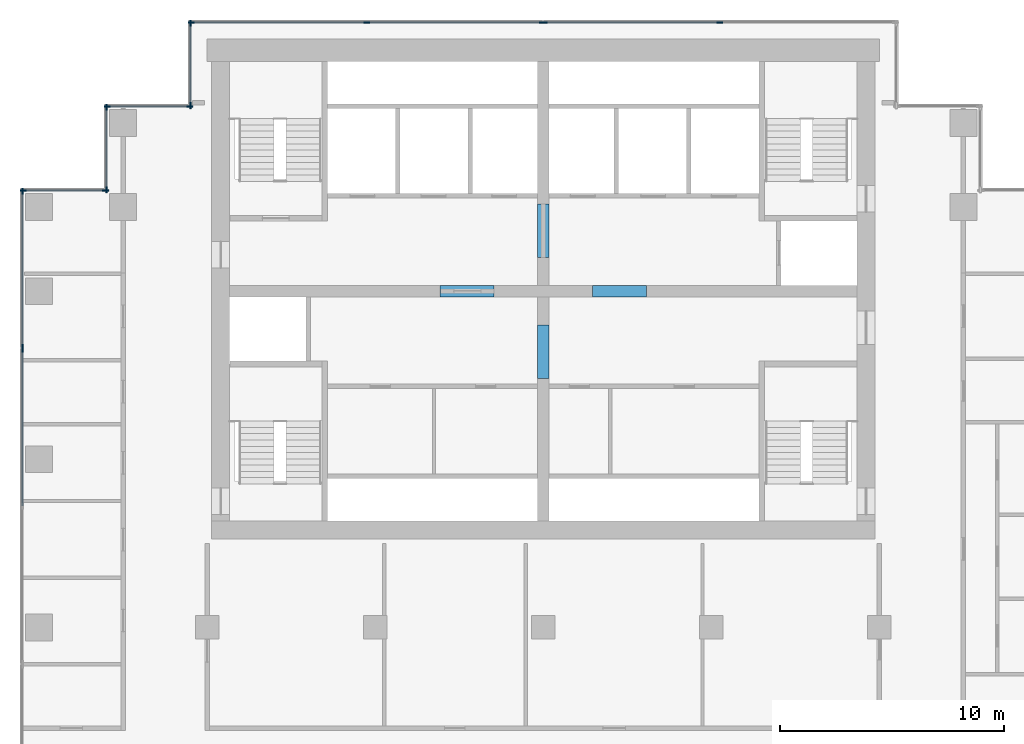
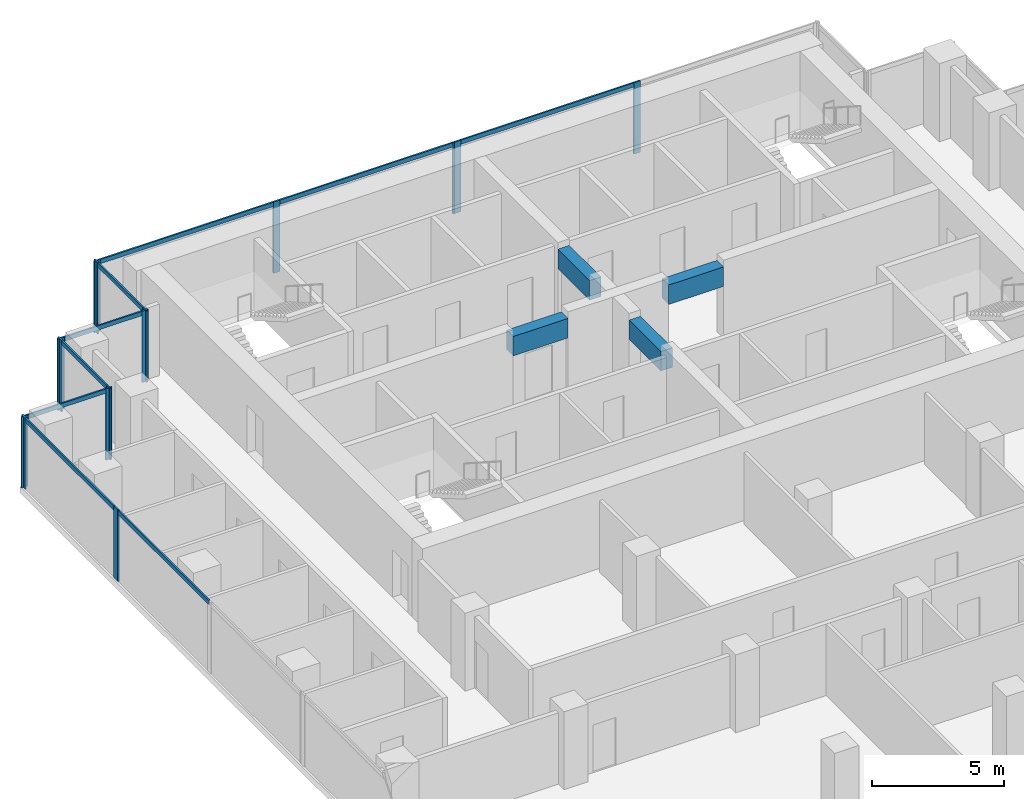
# One storey, part 4 of 10: 25 members, 4 beams, 8 elements without a shape of their own.
"""IFC4 building model written with IfcOpenShell, lengths in metres."""

from ifc_helpers import new_model, si_unit, direction, frame, origin, origin_2d, place, context, subcontext, project, spatial, rectangle, extrude, material, material_profile, profile_set, type_object, element, aggregate, save


model = new_model("IFC4")

# Units and contexts
model_context = context("Model", 3, precision=1e-05, world=origin(), true_north=direction((0.0, 1.0)))
body_context = subcontext(model_context, "Body", "Model", "MODEL_VIEW")
ifc_project = project(units=[si_unit("LENGTHUNIT", "METRE"), si_unit("AREAUNIT", "SQUARE_METRE"), si_unit("VOLUMEUNIT", "CUBIC_METRE"), si_unit("PLANEANGLEUNIT", "RADIAN"), si_unit("MASSUNIT", "GRAM", prefix="KILO")], contexts=[model_context])

# Site, building, storey
site_placement = place(None, origin())
site = spatial("IfcSite", under=ifc_project, at=site_placement, CompositionType="ELEMENT")
building_placement = place(site_placement, origin())
building = spatial("IfcBuilding", under=site, at=building_placement, Name="Pilkhan Gate Tower", CompositionType="ELEMENT")
storey_placement = place(building_placement, frame((0.0, 0.0, 162.10009765625)))
storey = spatial("IfcBuildingStorey", under=building, at=storey_placement, Name="L41", CompositionType="ELEMENT", Elevation=162.10009765625)

# Beams
ifc_material_1 = material(Name="Concrete C60/75", Category="concrete")
ifc_material_profile_1 = material_profile(ifc_material_1, rectangle(XDim=0.5, YDim=0.89990234375, at=origin_2d()), Name="RC 500x900")
ifc_profile_set_1 = profile_set([ifc_material_profile_1], Name="Concrete C60/75")
beam_type = type_object("IfcBeamType", Name="Coupling beam CB90 RC 500x900 C60/75", PredefinedType="LINTEL", material=ifc_profile_set_1)
for number, where, z_axis, x_axis, name in (
    (1, (70.39990234375, 82.5, 2.849853515625), (1.0, 0.0, 0.0), (0.0, 1.0, 0.0), "Coupling beam 1 L41"),
    (2, (77.199951171875, 82.5, 2.849853515625), (1.0, 0.0, 0.0), (0.0, 1.0, 0.0), "Coupling beam 2 L41"),
):
    element("IfcBeam", number, at=place(storey_placement, frame(where, z_axis=z_axis, x_axis=x_axis)), inside=storey, type_object=beam_type, Name=name, PredefinedType="LINTEL", context=body_context, shape_type="SweptSolid", body=[
        extrude(rectangle(XDim=0.5, YDim=0.89990234375, at=origin_2d()), origin(), (0.0, 0.0, 1.0), 2.400146484375),
    ])
for number, where, z_axis, x_axis, name in (
    (3, (75.0, 78.60009765625, 2.849853515625), (0.0, 1.0, 0.0), (-1.0, 0.0, 0.0), "Coupling beam 3 L41"),
    (4, (75.0, 84.0, 2.849853515625), (0.0, 1.0, 0.0), (-1.0, 0.0, 0.0), "Coupling beam 4 L41"),
):
    element("IfcBeam", number, at=place(storey_placement, frame(where, z_axis=z_axis, x_axis=x_axis)), inside=storey, type_object=beam_type, Name=name, PredefinedType="LINTEL", context=body_context, shape_type="SweptSolid", body=[
        extrude(rectangle(XDim=0.5, YDim=0.89990234375, at=origin_2d()), origin(), (0.0, 0.0, 1.0), 2.39990234375),
    ])

# Curtain wall, members
ifc_material_2 = material(Name="Pale anodised aluminium, clear low-iron double glazing", Category="aluminium")
curtain_wall_type = type_object("IfcCurtainWallType", Name="Office unitised curtain wall CW-O1", PredefinedType="USERDEFINED", material=ifc_material_2)
curtain_wall_1_placement = place(storey_placement, origin())
curtain_wall_1 = element("IfcCurtainWall", 5, at=curtain_wall_1_placement, inside=storey, type_object=curtain_wall_type, Name="Office unitised curtain wall CW-O1 L41 N", ObjectType="UNITISED CURTAIN WALL", PredefinedType="USERDEFINED")
ifc_material_3 = material(Name="Pale anodised aluminium", Category="aluminium")
ifc_material_profile_2 = material_profile(ifc_material_3, rectangle(XDim=0.070068359375, YDim=0.27490234375, at=origin_2d()), Name="Mullion 275x70")
ifc_profile_set_2 = profile_set([ifc_material_profile_2], Name="Pale anodised aluminium")
member_type_1 = type_object("IfcMemberType", Name="Mullion CW-O1 275x70", PredefinedType="MULLION", material=ifc_profile_set_2)
member_1_placement = place(storey_placement, frame((59.284912109375, 94.5, 0.0), z_axis=(0.0, 0.0, 1.0), x_axis=(0.0, 1.0, 0.0)))
member_1 = element("IfcMember", 6, at=member_1_placement, type_object=member_type_1, Name="CW-O1 mullion 1", PredefinedType="MULLION", context=body_context, shape_type="SweptSolid", body=[
    extrude(rectangle(XDim=0.070068359375, YDim=0.27490234375, at=origin_2d()), origin(), (0.0, 0.0, 1.0), 3.2998046875),
])
member_2_placement = place(storey_placement, frame((67.125, 94.5, 0.0), z_axis=(0.0, 0.0, 1.0), x_axis=(0.0, 1.0, 0.0)))
member_2 = element("IfcMember", 7, at=member_2_placement, type_object=member_type_1, Name="CW-O1 mullion 2", PredefinedType="MULLION", context=body_context, shape_type="SweptSolid", body=[
    extrude(rectangle(XDim=0.070068359375, YDim=0.27490234375, at=origin_2d()), origin(), (0.0, 0.0, 1.0), 3.2998046875),
])
member_3_placement = place(storey_placement, frame((74.965087890625, 94.5, 0.0), z_axis=(0.0, 0.0, 1.0), x_axis=(0.0, 1.0, 0.0)))
member_3 = element("IfcMember", 8, at=member_3_placement, type_object=member_type_1, Name="CW-O1 mullion 3", PredefinedType="MULLION", context=body_context, shape_type="SweptSolid", body=[
    extrude(rectangle(XDim=0.070068359375, YDim=0.27490234375, at=origin_2d()), origin(), (0.0, 0.0, 1.0), 3.2998046875),
])

curtain_wall_2_placement = place(storey_placement, origin())
curtain_wall_2 = element("IfcCurtainWall", 9, at=curtain_wall_2_placement, inside=storey, type_object=curtain_wall_type, Name="Office unitised curtain wall CW-O1 L41 N", ObjectType="UNITISED CURTAIN WALL", PredefinedType="USERDEFINED")
member_4_placement = place(storey_placement, frame((75.034912109375, 94.5, 0.0), z_axis=(0.0, 0.0, 1.0), x_axis=(0.0, 1.0, 0.0)))
member_4 = element("IfcMember", 10, at=member_4_placement, type_object=member_type_1, Name="CW-O1 mullion 1", PredefinedType="MULLION", context=body_context, shape_type="SweptSolid", body=[
    extrude(rectangle(XDim=0.070068359375, YDim=0.27490234375, at=origin_2d()), origin(), (0.0, 0.0, 1.0), 3.2998046875),
])
member_5_placement = place(storey_placement, frame((82.875, 94.5, 0.0), z_axis=(0.0, 0.0, 1.0), x_axis=(0.0, 1.0, 0.0)))
member_5 = element("IfcMember", 11, at=member_5_placement, type_object=member_type_1, Name="CW-O1 mullion 2", PredefinedType="MULLION", context=body_context, shape_type="SweptSolid", body=[
    extrude(rectangle(XDim=0.070068359375, YDim=0.27490234375, at=origin_2d()), origin(), (0.0, 0.0, 1.0), 3.2998046875),
])

curtain_wall_3_placement = place(storey_placement, origin())
curtain_wall_3 = element("IfcCurtainWall", 12, at=curtain_wall_3_placement, inside=storey, type_object=curtain_wall_type, Name="Office unitised curtain wall CW-O1 L41 W", ObjectType="UNITISED CURTAIN WALL", PredefinedType="USERDEFINED")
member_6_placement = place(storey_placement, frame((59.25, 90.784912109375, 0.0), z_axis=(0.0, 0.0, 1.0), x_axis=(-1.0, 0.0, 0.0)))
member_6 = element("IfcMember", 13, at=member_6_placement, type_object=member_type_1, Name="CW-O1 mullion 1", PredefinedType="MULLION", context=body_context, shape_type="SweptSolid", body=[
    extrude(rectangle(XDim=0.070068359375, YDim=0.27490234375, at=origin_2d()), origin(), (0.0, 0.0, 1.0), 3.2998046875),
])
member_7_placement = place(storey_placement, frame((59.25, 94.465087890625, 0.0), z_axis=(0.0, 0.0, 1.0), x_axis=(-1.0, 0.0, 0.0)))
member_7 = element("IfcMember", 14, at=member_7_placement, type_object=member_type_1, Name="CW-O1 mullion 2", PredefinedType="MULLION", context=body_context, shape_type="SweptSolid", body=[
    extrude(rectangle(XDim=0.070068359375, YDim=0.27490234375, at=origin_2d()), origin(), (0.0, 0.0, 1.0), 3.2998046875),
])

curtain_wall_4_placement = place(storey_placement, origin())
curtain_wall_4 = element("IfcCurtainWall", 15, at=curtain_wall_4_placement, inside=storey, type_object=curtain_wall_type, Name="Office unitised curtain wall CW-O1 L41 N", ObjectType="UNITISED CURTAIN WALL", PredefinedType="USERDEFINED")
member_8_placement = place(storey_placement, frame((55.534912109375, 90.75, 0.0), z_axis=(0.0, 0.0, 1.0), x_axis=(0.0, 1.0, 0.0)))
member_8 = element("IfcMember", 16, at=member_8_placement, type_object=member_type_1, Name="CW-O1 mullion 1", PredefinedType="MULLION", context=body_context, shape_type="SweptSolid", body=[
    extrude(rectangle(XDim=0.070068359375, YDim=0.27490234375, at=origin_2d()), origin(), (0.0, 0.0, 1.0), 3.2998046875),
])
member_9_placement = place(storey_placement, frame((59.215087890625, 90.75, 0.0), z_axis=(0.0, 0.0, 1.0), x_axis=(0.0, 1.0, 0.0)))
member_9 = element("IfcMember", 17, at=member_9_placement, type_object=member_type_1, Name="CW-O1 mullion 2", PredefinedType="MULLION", context=body_context, shape_type="SweptSolid", body=[
    extrude(rectangle(XDim=0.070068359375, YDim=0.27490234375, at=origin_2d()), origin(), (0.0, 0.0, 1.0), 3.2998046875),
])

curtain_wall_5_placement = place(storey_placement, origin())
curtain_wall_5 = element("IfcCurtainWall", 18, at=curtain_wall_5_placement, inside=storey, type_object=curtain_wall_type, Name="Office unitised curtain wall CW-O1 L41 W", ObjectType="UNITISED CURTAIN WALL", PredefinedType="USERDEFINED")
member_10_placement = place(storey_placement, frame((55.5, 87.034912109375, 0.0), z_axis=(0.0, 0.0, 1.0), x_axis=(-1.0, 0.0, 0.0)))
member_10 = element("IfcMember", 19, at=member_10_placement, type_object=member_type_1, Name="CW-O1 mullion 1", PredefinedType="MULLION", context=body_context, shape_type="SweptSolid", body=[
    extrude(rectangle(XDim=0.070068359375, YDim=0.27490234375, at=origin_2d()), origin(), (0.0, 0.0, 1.0), 3.2998046875),
])
member_11_placement = place(storey_placement, frame((55.5, 90.715087890625, 0.0), z_axis=(0.0, 0.0, 1.0), x_axis=(-1.0, 0.0, 0.0)))
member_11 = element("IfcMember", 20, at=member_11_placement, type_object=member_type_1, Name="CW-O1 mullion 2", PredefinedType="MULLION", context=body_context, shape_type="SweptSolid", body=[
    extrude(rectangle(XDim=0.070068359375, YDim=0.27490234375, at=origin_2d()), origin(), (0.0, 0.0, 1.0), 3.2998046875),
])

curtain_wall_6_placement = place(storey_placement, origin())
curtain_wall_6 = element("IfcCurtainWall", 21, at=curtain_wall_6_placement, inside=storey, type_object=curtain_wall_type, Name="Office unitised curtain wall CW-O1 L41 N", ObjectType="UNITISED CURTAIN WALL", PredefinedType="USERDEFINED")
member_12_placement = place(storey_placement, frame((51.784912109375, 87.0, 0.0), z_axis=(0.0, 0.0, 1.0), x_axis=(0.0, 1.0, 0.0)))
member_12 = element("IfcMember", 22, at=member_12_placement, type_object=member_type_1, Name="CW-O1 mullion 1", PredefinedType="MULLION", context=body_context, shape_type="SweptSolid", body=[
    extrude(rectangle(XDim=0.070068359375, YDim=0.27490234375, at=origin_2d()), origin(), (0.0, 0.0, 1.0), 3.2998046875),
])
member_13_placement = place(storey_placement, frame((55.465087890625, 87.0, 0.0), z_axis=(0.0, 0.0, 1.0), x_axis=(0.0, 1.0, 0.0)))
member_13 = element("IfcMember", 23, at=member_13_placement, type_object=member_type_1, Name="CW-O1 mullion 2", PredefinedType="MULLION", context=body_context, shape_type="SweptSolid", body=[
    extrude(rectangle(XDim=0.070068359375, YDim=0.27490234375, at=origin_2d()), origin(), (0.0, 0.0, 1.0), 3.2998046875),
])

# Curtain wall, member
curtain_wall_7_placement = place(storey_placement, origin())
curtain_wall_7 = element("IfcCurtainWall", 24, at=curtain_wall_7_placement, inside=storey, type_object=curtain_wall_type, Name="Office unitised curtain wall CW-O1 L41 W", ObjectType="UNITISED CURTAIN WALL", PredefinedType="USERDEFINED")
member_14_placement = place(storey_placement, frame((51.75, 79.9150390625, 0.0), z_axis=(0.0, 0.0, 1.0), x_axis=(-1.0, 0.0, 0.0)))
member_14 = element("IfcMember", 25, at=member_14_placement, type_object=member_type_1, Name="CW-O1 mullion 3", PredefinedType="MULLION", context=body_context, shape_type="SweptSolid", body=[
    extrude(rectangle(XDim=0.070068359375, YDim=0.27490234375, at=origin_2d()), origin(), (0.0, 0.0, 1.0), 3.2998046875),
])

# Curtain wall, members
curtain_wall_8_placement = place(storey_placement, origin())
curtain_wall_8 = element("IfcCurtainWall", 26, at=curtain_wall_8_placement, inside=storey, type_object=curtain_wall_type, Name="Office unitised curtain wall CW-O1 L41 W", ObjectType="UNITISED CURTAIN WALL", PredefinedType="USERDEFINED")
member_15_placement = place(storey_placement, frame((51.75, 79.985107421875, 0.0), z_axis=(0.0, 0.0, 1.0), x_axis=(-1.0, 0.0, 0.0)))
member_15 = element("IfcMember", 27, at=member_15_placement, type_object=member_type_1, Name="CW-O1 mullion 1", PredefinedType="MULLION", context=body_context, shape_type="SweptSolid", body=[
    extrude(rectangle(XDim=0.070068359375, YDim=0.27490234375, at=origin_2d()), origin(), (0.0, 0.0, 1.0), 3.2998046875),
])
member_16_placement = place(storey_placement, frame((51.75, 86.965087890625, 0.0), z_axis=(0.0, 0.0, 1.0), x_axis=(-1.0, 0.0, 0.0)))
member_16 = element("IfcMember", 28, at=member_16_placement, type_object=member_type_1, Name="CW-O1 mullion 2", PredefinedType="MULLION", context=body_context, shape_type="SweptSolid", body=[
    extrude(rectangle(XDim=0.070068359375, YDim=0.27490234375, at=origin_2d()), origin(), (0.0, 0.0, 1.0), 3.2998046875),
])

# Member
ifc_material_profile_3 = material_profile(ifc_material_3, rectangle(XDim=0.070068359375, YDim=0.199951171875, at=origin_2d()), Name="Transom 200x70")
ifc_profile_set_3 = profile_set([ifc_material_profile_3], Name="Pale anodised aluminium")
member_type_2 = type_object("IfcMemberType", Name="Transom CW-O1 200x70", PredefinedType="USERDEFINED", material=ifc_profile_set_3)
member_17_placement = place(storey_placement, frame((59.320068359375, 94.5, 3.199951171875), z_axis=(1.0, 0.0, 0.0), x_axis=(0.0, 1.0, 0.0)))
member_17 = element("IfcMember", 29, at=member_17_placement, type_object=member_type_2, Name="CW-O1 transom 1", ObjectType="TRANSOM", PredefinedType="USERDEFINED", context=body_context, shape_type="SweptSolid", body=[
    extrude(rectangle(XDim=0.070068359375, YDim=0.199951171875, at=origin_2d()), origin(), (0.0, 0.0, 1.0), 7.77001953125),
])

member_18_placement = place(storey_placement, frame((67.159912109375, 94.5, 3.199951171875), z_axis=(1.0, 0.0, 0.0), x_axis=(0.0, 1.0, 0.0)))
member_18 = element("IfcMember", 30, at=member_18_placement, type_object=member_type_2, Name="CW-O1 transom 2", ObjectType="TRANSOM", PredefinedType="USERDEFINED", context=body_context, shape_type="SweptSolid", body=[
    extrude(rectangle(XDim=0.070068359375, YDim=0.199951171875, at=origin_2d()), origin(), (0.0, 0.0, 1.0), 7.77001953125),
])

aggregate(curtain_wall_1, [member_1, member_2, member_3, member_17, member_18])

member_19_placement = place(storey_placement, frame((75.070068359375, 94.5, 3.199951171875), z_axis=(1.0, 0.0, 0.0), x_axis=(0.0, 1.0, 0.0)))
member_19 = element("IfcMember", 31, at=member_19_placement, type_object=member_type_2, Name="CW-O1 transom 1", ObjectType="TRANSOM", PredefinedType="USERDEFINED", context=body_context, shape_type="SweptSolid", body=[
    extrude(rectangle(XDim=0.070068359375, YDim=0.199951171875, at=origin_2d()), origin(), (0.0, 0.0, 1.0), 7.77001953125),
])

aggregate(curtain_wall_2, [member_4, member_5, member_19])

member_20_placement = place(storey_placement, frame((59.25, 90.820068359375, 3.199951171875), z_axis=(0.0, 1.0, 0.0), x_axis=(-1.0, 0.0, 0.0)))
member_20 = element("IfcMember", 32, at=member_20_placement, type_object=member_type_2, Name="CW-O1 transom 1", ObjectType="TRANSOM", PredefinedType="USERDEFINED", context=body_context, shape_type="SweptSolid", body=[
    extrude(rectangle(XDim=0.070068359375, YDim=0.199951171875, at=origin_2d()), origin(), (0.0, 0.0, 1.0), 3.60986328125),
])

aggregate(curtain_wall_3, [member_6, member_7, member_20])

member_21_placement = place(storey_placement, frame((55.570068359375, 90.75, 3.199951171875), z_axis=(1.0, 0.0, 0.0), x_axis=(0.0, 1.0, 0.0)))
member_21 = element("IfcMember", 33, at=member_21_placement, type_object=member_type_2, Name="CW-O1 transom 1", ObjectType="TRANSOM", PredefinedType="USERDEFINED", context=body_context, shape_type="SweptSolid", body=[
    extrude(rectangle(XDim=0.070068359375, YDim=0.199951171875, at=origin_2d()), origin(), (0.0, 0.0, 1.0), 3.60986328125),
])

aggregate(curtain_wall_4, [member_8, member_9, member_21])

member_22_placement = place(storey_placement, frame((55.5, 87.070068359375, 3.199951171875), z_axis=(0.0, 1.0, 0.0), x_axis=(-1.0, 0.0, 0.0)))
member_22 = element("IfcMember", 34, at=member_22_placement, type_object=member_type_2, Name="CW-O1 transom 1", ObjectType="TRANSOM", PredefinedType="USERDEFINED", context=body_context, shape_type="SweptSolid", body=[
    extrude(rectangle(XDim=0.070068359375, YDim=0.199951171875, at=origin_2d()), origin(), (0.0, 0.0, 1.0), 3.60986328125),
])

aggregate(curtain_wall_5, [member_10, member_11, member_22])

member_23_placement = place(storey_placement, frame((51.820068359375, 87.0, 3.199951171875), z_axis=(1.0, 0.0, 0.0), x_axis=(0.0, 1.0, 0.0)))
member_23 = element("IfcMember", 35, at=member_23_placement, type_object=member_type_2, Name="CW-O1 transom 1", ObjectType="TRANSOM", PredefinedType="USERDEFINED", context=body_context, shape_type="SweptSolid", body=[
    extrude(rectangle(XDim=0.070068359375, YDim=0.199951171875, at=origin_2d()), origin(), (0.0, 0.0, 1.0), 3.60986328125),
])

aggregate(curtain_wall_6, [member_12, member_13, member_23])

member_24_placement = place(storey_placement, frame((51.75, 72.93505859375, 3.199951171875), z_axis=(0.0, 1.0, 0.0), x_axis=(-1.0, 0.0, 0.0)))
member_24 = element("IfcMember", 36, at=member_24_placement, type_object=member_type_2, Name="CW-O1 transom 2", ObjectType="TRANSOM", PredefinedType="USERDEFINED", context=body_context, shape_type="SweptSolid", body=[
    extrude(rectangle(XDim=0.070068359375, YDim=0.199951171875, at=origin_2d()), origin(), (0.0, 0.0, 1.0), 6.94482421875),
])

aggregate(curtain_wall_7, [member_14, member_24])

member_25_placement = place(storey_placement, frame((51.75, 80.02001953125, 3.199951171875), z_axis=(0.0, 1.0, 0.0), x_axis=(-1.0, 0.0, 0.0)))
member_25 = element("IfcMember", 37, at=member_25_placement, type_object=member_type_2, Name="CW-O1 transom 1", ObjectType="TRANSOM", PredefinedType="USERDEFINED", context=body_context, shape_type="SweptSolid", body=[
    extrude(rectangle(XDim=0.070068359375, YDim=0.199951171875, at=origin_2d()), origin(), (0.0, 0.0, 1.0), 6.909912109375),
])

aggregate(curtain_wall_8, [member_15, member_16, member_25])

save(model, "model.ifc")
